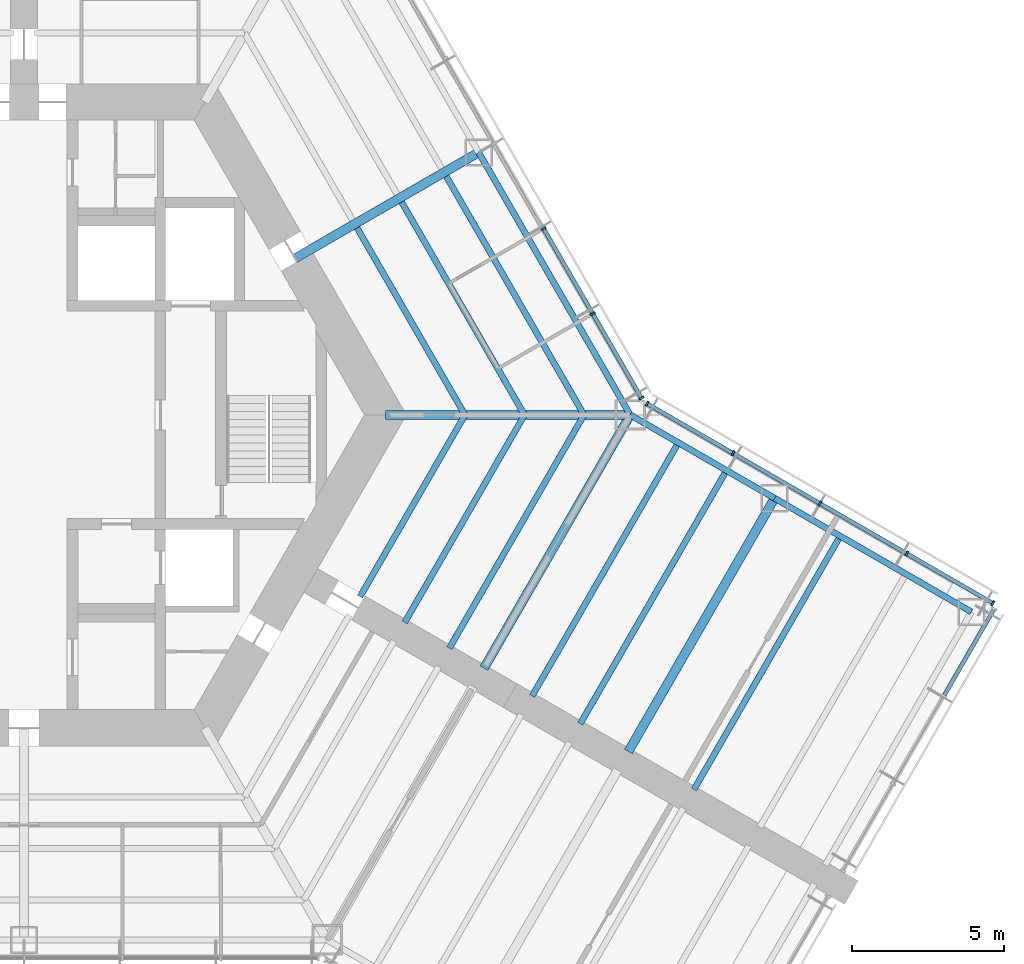
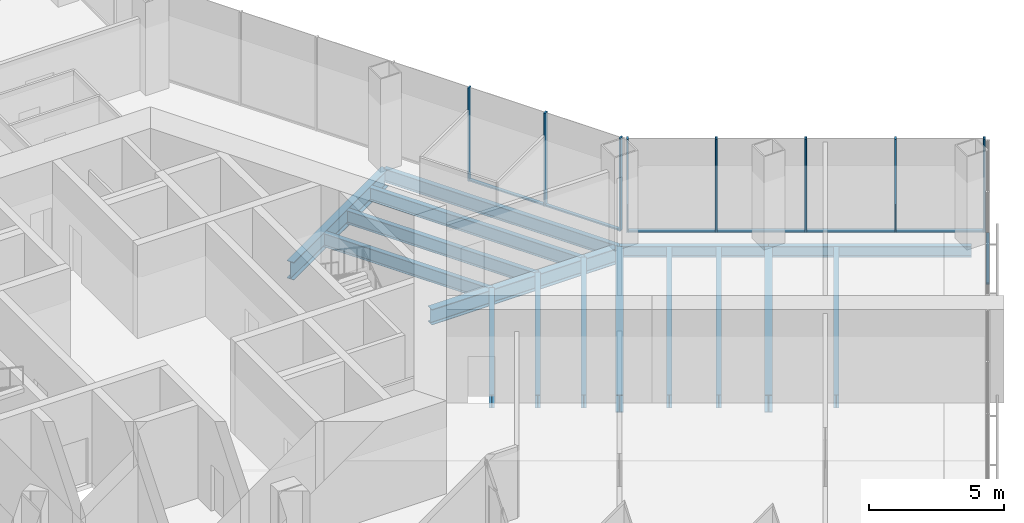
# One storey, part 5 of 16: 16 beams, 15 members, 3 elements without a shape of their own.
"""IFC4 building model written with IfcOpenShell, lengths in metres."""

from ifc_helpers import new_model, si_unit, direction, frame, origin, origin_2d, place, context, subcontext, project, spatial, rectangle, i_section, extrude, material, material_profile, profile_set, type_object, element, aggregate, save


model = new_model("IFC4")

# Units and contexts
model_context = context("Model", 3, precision=1e-05, world=origin(), true_north=direction((0.0, 1.0)))
body_context = subcontext(model_context, "Body", "Model", "MODEL_VIEW")
ifc_project = project(units=[si_unit("LENGTHUNIT", "METRE"), si_unit("AREAUNIT", "SQUARE_METRE"), si_unit("VOLUMEUNIT", "CUBIC_METRE"), si_unit("PLANEANGLEUNIT", "RADIAN"), si_unit("MASSUNIT", "GRAM", prefix="KILO")], contexts=[model_context])

# Site, building, storey
site_placement = place(None, origin())
site = spatial("IfcSite", under=ifc_project, at=site_placement, CompositionType="ELEMENT")
building_placement = place(site_placement, origin())
building = spatial("IfcBuilding", under=site, at=building_placement, Name="Kasaneha Research Tower", CompositionType="ELEMENT")
storey_placement = place(building_placement, frame((0.0, 0.0, 26.800048828125)))
storey = spatial("IfcBuildingStorey", under=building, at=storey_placement, Name="L07", CompositionType="ELEMENT", Elevation=26.800048828125)

# Beams
ifc_material_1 = material(Name="Steel SN490B", Category="steel")
ifc_material_profile_1 = material_profile(ifc_material_1, i_section(OverallWidth=0.199951171875, OverallDepth=0.60009765625, WebThickness=0.010986328125, FlangeThickness=0.01708984375, FilletRadius=0.012939453125, at=origin_2d()), Name="H-600x200x11x17")
ifc_profile_set_1 = profile_set([ifc_material_profile_1], Name="Steel SN490B")
beam_type_1 = type_object("IfcBeamType", Name="B1-1 secondary beam H-600x200x11x17", PredefinedType="JOIST", material=ifc_profile_set_1)
beam_1_placement = place(storey_placement, frame((14.54931640625, 0.0, -0.5), z_axis=(-0.500016104636, 0.866016105569, 0.0), x_axis=(-0.866016105569, -0.500016104636, 0.0)))
element("IfcBeam", 1, at=beam_1_placement, inside=storey, type_object=beam_type_1, Name="Secondary beam RS030L1 L07", PredefinedType="JOIST", context=body_context, shape_type="SweptSolid", body=[
    extrude(i_section(OverallWidth=0.199951171875, OverallDepth=0.60009765625, WebThickness=0.010986328125, FlangeThickness=0.01708984375, FilletRadius=0.012939453125, at=origin_2d()), origin(), (0.0, 0.0, 1.0), 7.124755859375),
])
beam_2_placement = place(storey_placement, frame((16.51220703125, 0.0, -0.5), z_axis=(-0.49999707157, 0.866027094508, 0.0), x_axis=(-0.866027094508, -0.49999707157, 0.0)))
element("IfcBeam", 2, at=beam_2_placement, inside=storey, type_object=beam_type_1, Name="Secondary beam RS030L2 L07", PredefinedType="JOIST", context=body_context, shape_type="SweptSolid", body=[
    extrude(i_section(OverallWidth=0.199951171875, OverallDepth=0.60009765625, WebThickness=0.010986328125, FlangeThickness=0.01708984375, FilletRadius=0.012939453125, at=origin_2d()), origin(), (0.0, 0.0, 1.0), 8.10595703125),
])
beam_3_placement = place(storey_placement, frame((18.47509765625, 0.0, -0.5), z_axis=(-0.499990665392, 0.866030793056, 0.0), x_axis=(-0.866030793056, -0.499990665392, 0.0)))
element("IfcBeam", 3, at=beam_3_placement, inside=storey, type_object=beam_type_1, Name="Secondary beam RS030L3 L07", PredefinedType="JOIST", context=body_context, shape_type="SweptSolid", body=[
    extrude(i_section(OverallWidth=0.199951171875, OverallDepth=0.60009765625, WebThickness=0.010986328125, FlangeThickness=0.01708984375, FilletRadius=0.012939453125, at=origin_2d()), origin(), (0.0, 0.0, 1.0), 9.087646484375),
])
beam_4_placement = place(storey_placement, frame((14.54931640625, 0.0, -0.5), z_axis=(-0.500014420154, -0.866017078145, 0.0), x_axis=(0.866017078145, -0.500014420154, 0.0)))
element("IfcBeam", 4, at=beam_4_placement, inside=storey, type_object=beam_type_1, Name="Secondary beam RS330R1 L07", PredefinedType="JOIST", context=body_context, shape_type="SweptSolid", body=[
    extrude(i_section(OverallWidth=0.199951171875, OverallDepth=0.60009765625, WebThickness=0.010986328125, FlangeThickness=0.01708984375, FilletRadius=0.012939453125, at=origin_2d()), origin(), (0.0, 0.0, 1.0), 6.924560546875),
])
beam_5_placement = place(storey_placement, frame((16.51220703125, 0.0, -0.5), z_axis=(-0.500004902938, -0.866022573054, 0.0), x_axis=(0.866022573054, -0.500004902938, 0.0)))
element("IfcBeam", 5, at=beam_5_placement, inside=storey, type_object=beam_type_1, Name="Secondary beam RS330R2 L07", PredefinedType="JOIST", context=body_context, shape_type="SweptSolid", body=[
    extrude(i_section(OverallWidth=0.199951171875, OverallDepth=0.60009765625, WebThickness=0.010986328125, FlangeThickness=0.01708984375, FilletRadius=0.012939453125, at=origin_2d()), origin(), (0.0, 0.0, 1.0), 7.90625),
])
beam_6_placement = place(storey_placement, frame((18.47509765625, 0.0, -0.5), z_axis=(-0.499988779951, -0.866031881586, 0.0), x_axis=(0.866031881586, -0.499988779951, 0.0)))
element("IfcBeam", 6, at=beam_6_placement, inside=storey, type_object=beam_type_1, Name="Secondary beam RS330R3 L07", PredefinedType="JOIST", context=body_context, shape_type="SweptSolid", body=[
    extrude(i_section(OverallWidth=0.199951171875, OverallDepth=0.60009765625, WebThickness=0.010986328125, FlangeThickness=0.01708984375, FilletRadius=0.012939453125, at=origin_2d()), origin(), (0.0, 0.0, 1.0), 8.887451171875),
])
ifc_material_2 = material(Name="Steel SN490B", Category="steel")
ifc_material_profile_2 = material_profile(ifc_material_2, i_section(OverallWidth=0.198974609375, OverallDepth=0.595947265625, WebThickness=0.010009765625, FlangeThickness=0.014892578125, FilletRadius=0.012939453125, at=origin_2d()), Name="H-596x199x10x15")
ifc_profile_set_2 = profile_set([ifc_material_profile_2], Name="Steel SN490B")
beam_type_2 = type_object("IfcBeamType", Name="B2-1 secondary beam H-596x199x10x15", PredefinedType="JOIST", material=ifc_profile_set_2)
beam_7_placement = place(storey_placement, frame((21.587646484375, -0.916748046875, -0.498046875), z_axis=(-0.499994742786, -0.866028439017, 0.0), x_axis=(0.866028439017, -0.499994742786, 0.0)))
element("IfcBeam", 7, at=beam_7_placement, inside=storey, type_object=beam_type_2, Name="Secondary beam WBCN1 L07", PredefinedType="JOIST", context=body_context, shape_type="SweptSolid", body=[
    extrude(i_section(OverallWidth=0.198974609375, OverallDepth=0.595947265625, WebThickness=0.010009765625, FlangeThickness=0.014892578125, FilletRadius=0.012939453125, at=origin_2d()), origin(), (0.0, 0.0, 1.0), 9.64990234375),
])
beam_8_placement = place(storey_placement, frame((23.175537109375, -1.833251953125, -0.498046875), z_axis=(-0.500013717211, -0.866017484004, 0.0), x_axis=(0.866017484004, -0.500013717211, 0.0)))
element("IfcBeam", 8, at=beam_8_placement, inside=storey, type_object=beam_type_2, Name="Secondary beam WBCN2 L07", PredefinedType="JOIST", context=body_context, shape_type="SweptSolid", body=[
    extrude(i_section(OverallWidth=0.198974609375, OverallDepth=0.595947265625, WebThickness=0.010009765625, FlangeThickness=0.014892578125, FilletRadius=0.012939453125, at=origin_2d()), origin(), (0.0, 0.0, 1.0), 9.650146484375),
])
beam_9_placement = place(storey_placement, frame((26.92822265625, -4.0, -0.498046875), z_axis=(-0.499994742786, -0.866028439017, 0.0), x_axis=(0.866028439017, -0.499994742786, 0.0)))
element("IfcBeam", 9, at=beam_9_placement, inside=storey, type_object=beam_type_2, Name="Secondary beam WBCN3 L07", PredefinedType="JOIST", context=body_context, shape_type="SweptSolid", body=[
    extrude(i_section(OverallWidth=0.198974609375, OverallDepth=0.595947265625, WebThickness=0.010009765625, FlangeThickness=0.014892578125, FilletRadius=0.012939453125, at=origin_2d()), origin(), (0.0, 0.0, 1.0), 9.64990234375),
])

# Curtain wall, members
ifc_material_3 = material(Name="Glass and aluminium", Category="aluminium")
curtain_wall_type = type_object("IfcCurtainWallType", Name="Wet laboratory curtain wall", PredefinedType="USERDEFINED", material=ifc_material_3)
curtain_wall_1_placement = place(storey_placement, origin())
curtain_wall_1 = element("IfcCurtainWall", 10, at=curtain_wall_1_placement, inside=storey, type_object=curtain_wall_type, Name="CW-L1 L07 run 06a", ObjectType="UNITISED CURTAIN WALL", PredefinedType="USERDEFINED")
ifc_material_4 = material(Name="Aluminium 6063-T6", Category="aluminium")
ifc_material_profile_3 = material_profile(ifc_material_4, rectangle(XDim=0.06494140625, YDim=0.179931640625, at=origin_2d()), Name="CW-L1 mullion 65x180")
ifc_profile_set_3 = profile_set([ifc_material_profile_3], Name="Aluminium 6063-T6")
member_type_1 = type_object("IfcMemberType", Name="CW-L1 mullion", PredefinedType="MULLION", material=ifc_profile_set_3)
member_1_placement = place(storey_placement, frame((31.963134765625, -6.214111328125, 0.0), z_axis=(0.0, 0.0, 1.0), x_axis=(-0.866025411464, 0.499999986699, 0.0)))
member_1 = element("IfcMember", 11, at=member_1_placement, type_object=member_type_1, Name="CW-L1 mullion 1", PredefinedType="MULLION", context=body_context, shape_type="SweptSolid", body=[
    extrude(rectangle(XDim=0.06494140625, YDim=0.179931640625, at=origin_2d()), origin(), (0.0, 0.0, 1.0), 4.199951171875),
])
member_2_placement = place(storey_placement, frame((29.125, -4.575439453125, 0.0), z_axis=(0.0, 0.0, 1.0), x_axis=(-0.866025411464, 0.499999986699, 0.0)))
member_2 = element("IfcMember", 12, at=member_2_placement, type_object=member_type_1, Name="CW-L1 mullion 2", PredefinedType="MULLION", context=body_context, shape_type="SweptSolid", body=[
    extrude(rectangle(XDim=0.06494140625, YDim=0.179931640625, at=origin_2d()), origin(), (0.0, 0.0, 1.0), 4.199951171875),
])
member_3_placement = place(storey_placement, frame((26.258544921875, -2.920654296875, 0.0), z_axis=(0.0, 0.0, 1.0), x_axis=(-0.866025411464, 0.499999986699, 0.0)))
member_3 = element("IfcMember", 13, at=member_3_placement, type_object=member_type_1, Name="CW-L1 mullion 3", PredefinedType="MULLION", context=body_context, shape_type="SweptSolid", body=[
    extrude(rectangle(XDim=0.06494140625, YDim=0.179931640625, at=origin_2d()), origin(), (0.0, 0.0, 1.0), 4.199951171875),
])
member_4_placement = place(storey_placement, frame((23.39208984375, -1.265625, 0.0), z_axis=(0.0, 0.0, 1.0), x_axis=(-0.866025411464, 0.499999986699, 0.0)))
member_4 = element("IfcMember", 14, at=member_4_placement, type_object=member_type_1, Name="CW-L1 mullion 4", PredefinedType="MULLION", context=body_context, shape_type="SweptSolid", body=[
    extrude(rectangle(XDim=0.06494140625, YDim=0.179931640625, at=origin_2d()), origin(), (0.0, 0.0, 1.0), 4.199951171875),
])
member_5_placement = place(storey_placement, frame((20.553955078125, 0.373046875, 0.0), z_axis=(0.0, 0.0, 1.0), x_axis=(-0.866025411464, 0.499999986699, 0.0)))
member_5 = element("IfcMember", 15, at=member_5_placement, type_object=member_type_1, Name="CW-L1 mullion 5", PredefinedType="MULLION", context=body_context, shape_type="SweptSolid", body=[
    extrude(rectangle(XDim=0.06494140625, YDim=0.179931640625, at=origin_2d()), origin(), (0.0, 0.0, 1.0), 4.199951171875),
])

curtain_wall_2_placement = place(storey_placement, origin())
curtain_wall_2 = element("IfcCurtainWall", 16, at=curtain_wall_2_placement, inside=storey, type_object=curtain_wall_type, Name="CW-L1 L07 run 07a", ObjectType="UNITISED CURTAIN WALL", PredefinedType="USERDEFINED")
member_6_placement = place(storey_placement, frame((20.373046875, 0.553955078125, 0.0), z_axis=(0.0, 0.0, 1.0), x_axis=(-0.49999996188, 0.866025425793, 0.0)))
member_6 = element("IfcMember", 17, at=member_6_placement, type_object=member_type_1, Name="CW-L1 mullion 1", PredefinedType="MULLION", context=body_context, shape_type="SweptSolid", body=[
    extrude(rectangle(XDim=0.06494140625, YDim=0.179931640625, at=origin_2d()), origin(), (0.0, 0.0, 1.0), 4.199951171875),
])
member_7_placement = place(storey_placement, frame((18.76611328125, 3.33740234375, 0.0), z_axis=(0.0, 0.0, 1.0), x_axis=(-0.49999996188, 0.866025425793, 0.0)))
member_7 = element("IfcMember", 18, at=member_7_placement, type_object=member_type_1, Name="CW-L1 mullion 2", PredefinedType="MULLION", context=body_context, shape_type="SweptSolid", body=[
    extrude(rectangle(XDim=0.06494140625, YDim=0.179931640625, at=origin_2d()), origin(), (0.0, 0.0, 1.0), 4.199951171875),
])
member_8_placement = place(storey_placement, frame((17.142822265625, 6.148681640625, 0.0), z_axis=(0.0, 0.0, 1.0), x_axis=(-0.49999996188, 0.866025425793, 0.0)))
member_8 = element("IfcMember", 19, at=member_8_placement, type_object=member_type_1, Name="CW-L1 mullion 3", PredefinedType="MULLION", context=body_context, shape_type="SweptSolid", body=[
    extrude(rectangle(XDim=0.06494140625, YDim=0.179931640625, at=origin_2d()), origin(), (0.0, 0.0, 1.0), 4.199951171875),
])

# Curtain wall, member
curtain_wall_3_placement = place(storey_placement, origin())
curtain_wall_3 = element("IfcCurtainWall", 20, at=curtain_wall_3_placement, inside=storey, type_object=curtain_wall_type, Name="CW-L1 L07 run 05a", ObjectType="UNITISED CURTAIN WALL", PredefinedType="USERDEFINED")
ifc_material_5 = material(Name="Aluminium 6063-T6", Category="aluminium")
ifc_material_profile_4 = material_profile(ifc_material_5, rectangle(XDim=0.139892578125, YDim=0.06494140625, at=origin_2d()), Name="CW-L1 transom 140x65")
ifc_profile_set_4 = profile_set([ifc_material_profile_4], Name="Aluminium 6063-T6")
member_type_2 = type_object("IfcMemberType", Name="CW-L1 transom", PredefinedType="USERDEFINED", material=ifc_profile_set_4)
member_9_placement = place(storey_placement, frame((30.369140625, -9.239990234375, 0.032470703125), z_axis=(0.500006189695, 0.866021830133, 0.0), x_axis=(-0.866021830133, 0.500006189695, 0.0)))
member_9 = element("IfcMember", 21, at=member_9_placement, type_object=member_type_2, Name="CW-L1 transom 3", ObjectType="TRANSOM", PredefinedType="USERDEFINED", context=body_context, shape_type="SweptSolid", body=[
    extrude(rectangle(XDim=0.139892578125, YDim=0.06494140625, at=origin_2d()), origin(), (0.0, 0.0, 1.0), 3.25244140625),
])
aggregate(curtain_wall_3, [member_9])

# Member
member_10_placement = place(storey_placement, frame((31.93505859375, -6.197998046875, 0.032470703125), z_axis=(-0.866022320763, 0.500005339912, 0.0), x_axis=(-0.500005339912, -0.866022320763, 0.0)))
member_10 = element("IfcMember", 22, at=member_10_placement, type_object=member_type_2, Name="CW-L1 transom 1", ObjectType="TRANSOM", PredefinedType="USERDEFINED", context=body_context, shape_type="SweptSolid", body=[
    extrude(rectangle(XDim=0.139892578125, YDim=0.06494140625, at=origin_2d()), origin(), (0.0, 0.0, 1.0), 3.21240234375),
])

member_11_placement = place(storey_placement, frame((29.096923828125, -4.559326171875, 0.032470703125), z_axis=(-0.866021460221, 0.500006830391, 0.0), x_axis=(-0.500006830391, -0.866021460221, 0.0)))
member_11 = element("IfcMember", 23, at=member_11_placement, type_object=member_type_2, Name="CW-L1 transom 2", ObjectType="TRANSOM", PredefinedType="USERDEFINED", context=body_context, shape_type="SweptSolid", body=[
    extrude(rectangle(XDim=0.139892578125, YDim=0.06494140625, at=origin_2d()), origin(), (0.0, 0.0, 1.0), 3.2451171875),
])

member_12_placement = place(storey_placement, frame((26.23046875, -2.904296875, 0.032470703125), z_axis=(-0.866035229914, 0.499982980259, 0.0), x_axis=(-0.499982980259, -0.866035229914, 0.0)))
member_12 = element("IfcMember", 24, at=member_12_placement, type_object=member_type_2, Name="CW-L1 transom 3", ObjectType="TRANSOM", PredefinedType="USERDEFINED", context=body_context, shape_type="SweptSolid", body=[
    extrude(rectangle(XDim=0.139892578125, YDim=0.06494140625, at=origin_2d()), origin(), (0.0, 0.0, 1.0), 3.24462890625),
])

member_13_placement = place(storey_placement, frame((23.364013671875, -1.24951171875, 0.032470703125), z_axis=(-0.866022320763, 0.500005339912, 0.0), x_axis=(-0.500005339912, -0.866022320763, 0.0)))
member_13 = element("IfcMember", 25, at=member_13_placement, type_object=member_type_2, Name="CW-L1 transom 4", ObjectType="TRANSOM", PredefinedType="USERDEFINED", context=body_context, shape_type="SweptSolid", body=[
    extrude(rectangle(XDim=0.139892578125, YDim=0.06494140625, at=origin_2d()), origin(), (0.0, 0.0, 1.0), 3.21240234375),
])

aggregate(curtain_wall_1, [member_1, member_2, member_3, member_4, member_5, member_10, member_11, member_12, member_13])

member_14_placement = place(storey_placement, frame((20.356689453125, 0.58203125, 0.032470703125), z_axis=(-0.49999985423, 0.866025487945, 0.0), x_axis=(-0.866025487945, -0.49999985423, 0.0)))
member_14 = element("IfcMember", 26, at=member_14_placement, type_object=member_type_2, Name="CW-L1 transom 1", ObjectType="TRANSOM", PredefinedType="USERDEFINED", context=body_context, shape_type="SweptSolid", body=[
    extrude(rectangle(XDim=0.139892578125, YDim=0.06494140625, at=origin_2d()), origin(), (0.0, 0.0, 1.0), 3.14892578125),
])

member_15_placement = place(storey_placement, frame((18.749755859375, 3.365478515625, 0.032470703125), z_axis=(-0.499977104415, 0.866038622153, 0.0), x_axis=(-0.866038622153, -0.499977104415, 0.0)))
member_15 = element("IfcMember", 27, at=member_15_placement, type_object=member_type_2, Name="CW-L1 transom 2", ObjectType="TRANSOM", PredefinedType="USERDEFINED", context=body_context, shape_type="SweptSolid", body=[
    extrude(rectangle(XDim=0.139892578125, YDim=0.06494140625, at=origin_2d()), origin(), (0.0, 0.0, 1.0), 3.181396484375),
])

aggregate(curtain_wall_2, [member_6, member_7, member_8, member_14, member_15])

# Beams
ifc_material_6 = material(Name="Steel SN490B", Category="steel")
ifc_material_profile_5 = material_profile(ifc_material_6, i_section(OverallWidth=0.300048828125, OverallDepth=0.699951171875, WebThickness=0.012939453125, FlangeThickness=0.02392578125, FilletRadius=0.01806640625, at=origin_2d()), Name="H-700x300x13x24")
ifc_profile_set_5 = profile_set([ifc_material_profile_5], Name="Steel SN490B")
beam_type_3 = type_object("IfcBeamType", Name="G1-1 radial girder H-700x300x13x24", PredefinedType="BEAM", material=ifc_profile_set_5)
beam_10_placement = place(storey_placement, frame((11.92236328125, 0.0, -0.550048828125), z_axis=(1.0, 0.0, 0.0), x_axis=(0.0, 1.0, 0.0)))
element("IfcBeam", 28, at=beam_10_placement, inside=storey, type_object=beam_type_3, Name="Radial girder RV000 L07", PredefinedType="BEAM", context=body_context, shape_type="SweptSolid", body=[
    extrude(i_section(OverallWidth=0.300048828125, OverallDepth=0.699951171875, WebThickness=0.012939453125, FlangeThickness=0.02392578125, FilletRadius=0.01806640625, at=origin_2d()), origin(), (0.0, 0.0, 1.0), 8.07763671875),
])
ifc_material_7 = material(Name="Steel SN490B", Category="steel")
ifc_material_profile_6 = material_profile(ifc_material_7, i_section(OverallWidth=0.300048828125, OverallDepth=0.800048828125, WebThickness=0.013916015625, FlangeThickness=0.02587890625, FilletRadius=0.01806640625, at=origin_2d()), Name="H-800x300x14x26")
ifc_profile_set_6 = profile_set([ifc_material_profile_6], Name="Steel SN490B")
beam_type_4 = type_object("IfcBeamType", Name="G2-1 radial girder H-800x300x14x26", PredefinedType="BEAM", material=ifc_profile_set_6)
beam_11_placement = place(storey_placement, frame((8.941650390625, 5.16259765625, -0.60009765625), z_axis=(0.866039713508, 0.499975214012, 0.0), x_axis=(-0.499975214012, 0.866039713508, 0.0)))
element("IfcBeam", 29, at=beam_11_placement, inside=storey, type_object=beam_type_4, Name="Radial girder RM030 L07", PredefinedType="BEAM", context=body_context, shape_type="SweptSolid", body=[
    extrude(i_section(OverallWidth=0.300048828125, OverallDepth=0.800048828125, WebThickness=0.013916015625, FlangeThickness=0.02587890625, FilletRadius=0.01806640625, at=origin_2d()), origin(), (0.0, 0.0, 1.0), 6.995361328125),
])
ifc_material_8 = material(Name="Steel SN490B", Category="steel")
ifc_material_profile_7 = material_profile(ifc_material_8, i_section(OverallWidth=0.300048828125, OverallDepth=0.7919921875, WebThickness=0.013916015625, FlangeThickness=0.02197265625, FilletRadius=0.01806640625, at=origin_2d()), Name="H-792x300x14x22")
ifc_profile_set_7 = profile_set([ifc_material_profile_7], Name="Steel SN490B")
beam_type_5 = type_object("IfcBeamType", Name="G3-1 plate edge girder H-792x300x14x22", PredefinedType="BEAM", material=ifc_profile_set_7)
beam_12_placement = place(storey_placement, frame((20.0, 0.0, -0.595947265625), z_axis=(-0.499994742786, -0.866028439017, 0.0), x_axis=(0.866028439017, -0.499994742786, 0.0)))
element("IfcBeam", 30, at=beam_12_placement, inside=storey, type_object=beam_type_5, Name="Plate edge girder PECN L07", PredefinedType="BEAM", context=body_context, shape_type="SweptSolid", body=[
    extrude(i_section(OverallWidth=0.300048828125, OverallDepth=0.7919921875, WebThickness=0.013916015625, FlangeThickness=0.02197265625, FilletRadius=0.01806640625, at=origin_2d()), origin(), (0.0, 0.0, 1.0), 9.64990234375),
])
ifc_material_9 = material(Name="Steel SN490B", Category="steel")
ifc_material_profile_8 = material_profile(ifc_material_9, i_section(OverallWidth=0.300048828125, OverallDepth=0.800048828125, WebThickness=0.013916015625, FlangeThickness=0.02587890625, FilletRadius=0.01806640625, at=origin_2d()), Name="H-800x300x14x26")
ifc_profile_set_8 = profile_set([ifc_material_profile_8], Name="Steel SN490B")
beam_type_6 = type_object("IfcBeamType", Name="G4-1 wing girder H-800x300x14x26", PredefinedType="BEAM", material=ifc_profile_set_8)
beam_13_placement = place(storey_placement, frame((24.76318359375, -2.75, -0.60009765625), z_axis=(-0.499994742786, -0.866028439017, 0.0), x_axis=(0.866028439017, -0.499994742786, 0.0)))
element("IfcBeam", 31, at=beam_13_placement, inside=storey, type_object=beam_type_6, Name="Wing girder WGCN L07", PredefinedType="BEAM", context=body_context, shape_type="SweptSolid", body=[
    extrude(i_section(OverallWidth=0.300048828125, OverallDepth=0.800048828125, WebThickness=0.013916015625, FlangeThickness=0.02587890625, FilletRadius=0.01806640625, at=origin_2d()), origin(), (0.0, 0.0, 1.0), 9.64990234375),
])
ifc_material_10 = material(Name="Steel SN490B", Category="steel")
ifc_material_profile_9 = material_profile(ifc_material_10, i_section(OverallWidth=0.199951171875, OverallDepth=0.60009765625, WebThickness=0.010986328125, FlangeThickness=0.01708984375, FilletRadius=0.012939453125, at=origin_2d()), Name="H-600x200x11x17")
ifc_profile_set_9 = profile_set([ifc_material_profile_9], Name="Steel SN490B")
beam_type_7 = type_object("IfcBeamType", Name="SB1-1 spandrel beam H-600x200x11x17", PredefinedType="SPANDREL", material=ifc_profile_set_9)
beam_14_placement = place(storey_placement, frame((20.0, 0.0, -0.5), z_axis=(-0.500004234368, 0.866022959057, 0.0), x_axis=(-0.866022959057, -0.500004234368, 0.0)))
element("IfcBeam", 32, at=beam_14_placement, inside=storey, type_object=beam_type_7, Name="Spandrel beam SR030L L07", PredefinedType="SPANDREL", context=body_context, shape_type="SweptSolid", body=[
    extrude(i_section(OverallWidth=0.199951171875, OverallDepth=0.60009765625, WebThickness=0.010986328125, FlangeThickness=0.01708984375, FilletRadius=0.012939453125, at=origin_2d()), origin(), (0.0, 0.0, 1.0), 10.0),
])
ifc_material_11 = material(Name="Steel SN490B", Category="steel")
ifc_material_profile_10 = material_profile(ifc_material_11, i_section(OverallWidth=0.199951171875, OverallDepth=0.5, WebThickness=0.010009765625, FlangeThickness=0.01611328125, FilletRadius=0.012939453125, at=origin_2d()), Name="H-500x200x10x16")
ifc_profile_set_10 = profile_set([ifc_material_profile_10], Name="Steel SN490B")
beam_type_8 = type_object("IfcBeamType", Name="SB2-1 spandrel beam H-500x200x10x16", PredefinedType="SPANDREL", material=ifc_profile_set_10)
beam_15_placement = place(storey_placement, frame((20.0, 0.0, -0.449951171875), z_axis=(0.866027397988, -0.499996545922, 0.0), x_axis=(0.499996545922, 0.866027397988, 0.0)))
element("IfcBeam", 33, at=beam_15_placement, inside=storey, type_object=beam_type_8, Name="Spandrel beam WSCN1 L07", PredefinedType="SPANDREL", context=body_context, shape_type="SweptSolid", body=[
    extrude(i_section(OverallWidth=0.199951171875, OverallDepth=0.5, WebThickness=0.010009765625, FlangeThickness=0.01611328125, FilletRadius=0.012939453125, at=origin_2d()), origin(), (0.0, 0.0, 1.0), 5.5),
])
beam_16_placement = place(storey_placement, frame((24.76318359375, -2.75, -0.449951171875), z_axis=(0.866022959057, -0.500004234368, 0.0), x_axis=(0.500004234368, 0.866022959057, 0.0)))
element("IfcBeam", 34, at=beam_16_placement, inside=storey, type_object=beam_type_8, Name="Spandrel beam WSCN2 L07", PredefinedType="SPANDREL", context=body_context, shape_type="SweptSolid", body=[
    extrude(i_section(OverallWidth=0.199951171875, OverallDepth=0.5, WebThickness=0.010009765625, FlangeThickness=0.01611328125, FilletRadius=0.012939453125, at=origin_2d()), origin(), (0.0, 0.0, 1.0), 7.5),
])

save(model, "model.ifc")
